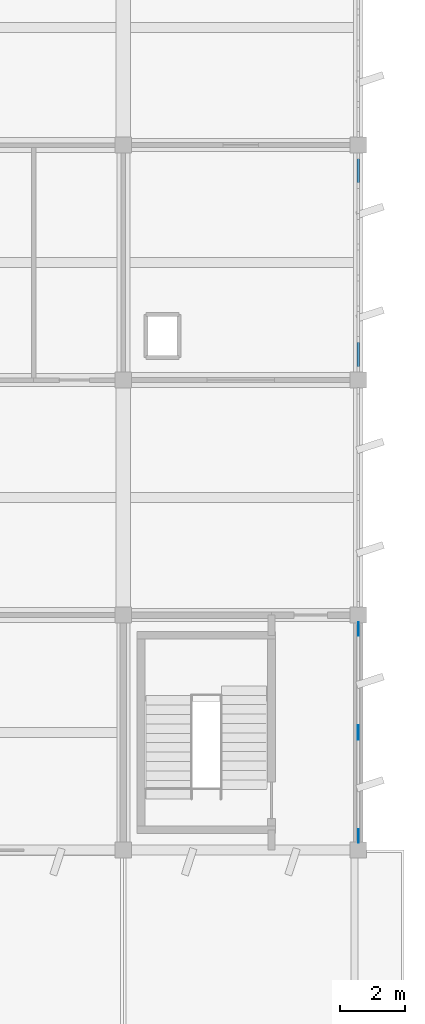
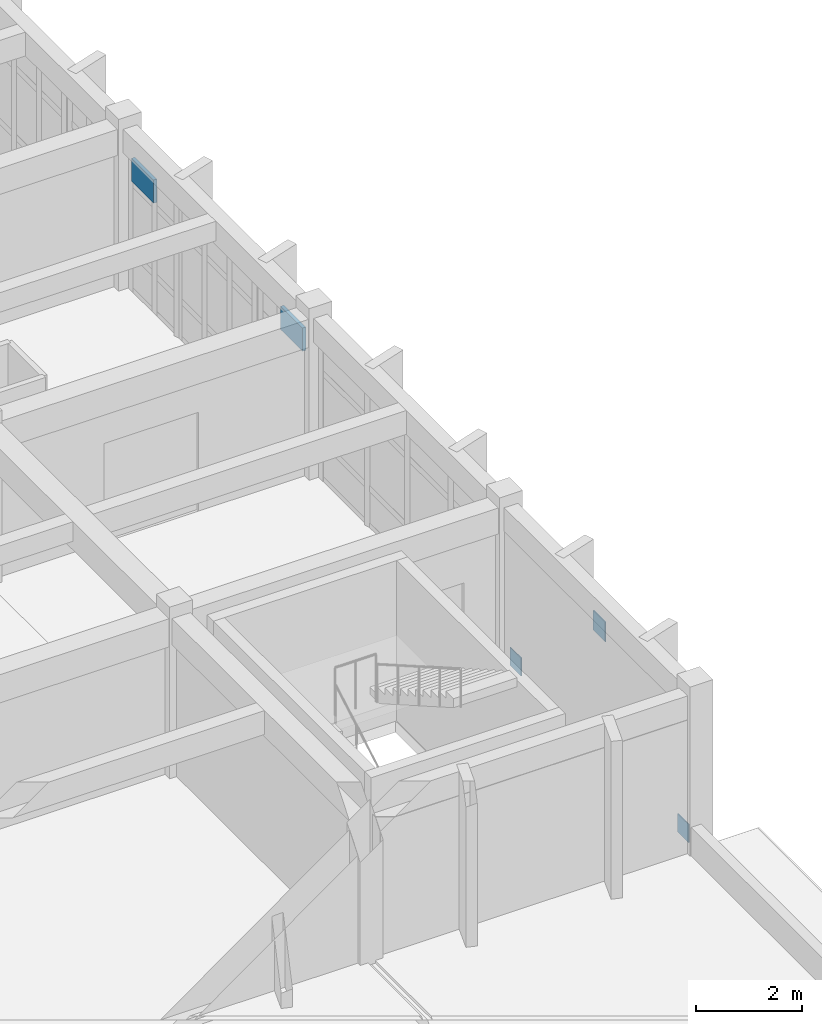
# One storey, part 30 of 40: 5 plates, 1 element without a shape of its own.
"""IFC4 building model written with IfcOpenShell, lengths in metres."""

from ifc_helpers import new_model, si_unit, direction, frame, origin, origin_2d, place, context, subcontext, project, spatial, rectangle, extrude, material, layer, layer_set, type_object, element, aggregate, save


model = new_model("IFC4")

# Units and contexts
model_context = context("Model", 3, precision=1e-05, world=origin(), true_north=direction((0.0, 1.0)))
body_context = subcontext(model_context, "Body", "Model", "MODEL_VIEW")
ifc_project = project(units=[si_unit("LENGTHUNIT", "METRE"), si_unit("AREAUNIT", "SQUARE_METRE"), si_unit("VOLUMEUNIT", "CUBIC_METRE"), si_unit("PLANEANGLEUNIT", "RADIAN"), si_unit("MASSUNIT", "GRAM", prefix="KILO")], contexts=[model_context])

# Site, building, storey
site_placement = place(None, origin())
site = spatial("IfcSite", under=ifc_project, at=site_placement, CompositionType="ELEMENT")
building_placement = place(site_placement, origin())
building = spatial("IfcBuilding", under=site, at=building_placement, Name="Kavelor Marine Aquarium", CompositionType="ELEMENT")
storey_placement = place(building_placement, frame((0.0, 0.0, 17.639892578125)))
storey = spatial("IfcBuildingStorey", under=building, at=storey_placement, Name="L04", CompositionType="ELEMENT", Elevation=17.639892578125)

# Curtain wall, plates
ifc_material_1 = material(Name="Thermally Broken Aluminium and Low-E Glass", Category="aluminium")
ifc_layer_1 = layer(ifc_material_1, 0.14794921875)
ifc_layer_set_1 = layer_set([ifc_layer_1], Name="CW-SYS1")
curtain_wall_type = type_object("IfcCurtainWallType", Name="CW-SYS1", PredefinedType="USERDEFINED", material=ifc_layer_set_1)
curtain_wall_placement = place(storey_placement, origin())
curtain_wall = element("IfcCurtainWall", 1, at=curtain_wall_placement, inside=storey, type_object=curtain_wall_type, Name="cw:y:L04:20_11", ObjectType="Curtain Wall", PredefinedType="USERDEFINED")
ifc_material_2 = material(Name="Solar-Control Double Low-E Glazing", Category="glass")
ifc_layer_2 = layer(ifc_material_2, 0.073974609375)
ifc_layer_set_2 = layer_set([ifc_layer_2], Name="CWP-25")
plate_type_1 = type_object("IfcPlateType", Name="CWP-25", PredefinedType="CURTAIN_PANEL", material=ifc_layer_set_2)
plate_1_placement = place(storey_placement, frame((147.199951171875, 82.785888671875, 2.527587890625), z_axis=(0.0, 0.0, 1.0), x_axis=(0.0, 1.0, 0.0)))
plate_1 = element("IfcPlate", 2, at=plate_1_placement, type_object=plate_type_1, Name="CW01 panel 1.3", PredefinedType="CURTAIN_PANEL", context=body_context, shape_type="SweptSolid", body=[
    extrude(rectangle(XDim=0.831787109375, YDim=0.073974609375, at=origin_2d()), origin(), (0.0, 0.0, 1.0), 0.53759765625),
])
plate_2_placement = place(storey_placement, frame((147.199951171875, 88.4140625, 2.527587890625), z_axis=(0.0, 0.0, 1.0), x_axis=(0.0, 1.0, 0.0)))
plate_2 = element("IfcPlate", 3, at=plate_2_placement, type_object=plate_type_1, Name="CW01 panel 7.3", PredefinedType="CURTAIN_PANEL", context=body_context, shape_type="SweptSolid", body=[
    extrude(rectangle(XDim=0.831787109375, YDim=0.073974609375, at=origin_2d()), origin(), (0.0, 0.0, 1.0), 0.53759765625),
])
aggregate(curtain_wall, [plate_1, plate_2])

# Plates
ifc_material_3 = material(Name="Steel S355", Category="steel")
ifc_layer_3 = layer(ifc_material_3, 0.01953125)
ifc_layer_set_3 = layer_set([ifc_layer_3], Name="PL-GP11")
plate_type_2 = type_object("IfcPlateType", Name="PL-GP11", PredefinedType="SHEET", material=ifc_layer_set_3)
plate_3_placement = place(storey_placement, frame((147.199951171875, 71.199951171875, 2.72265625), z_axis=(0.0, 0.0, 1.0), x_axis=(1.0, 0.0, 0.0)))
element("IfcPlate", 4, at=plate_3_placement, inside=storey, type_object=plate_type_2, Name="sbr:gp:m:7", PredefinedType="SHEET", context=body_context, shape_type="SweptSolid", body=[
    extrude(rectangle(XDim=0.01953125, YDim=0.455078125, at=origin_2d()), origin(), (0.0, 0.0, 1.0), 0.455078125),
])
ifc_material_4 = material(Name="Steel S355", Category="steel")
ifc_layer_4 = layer(ifc_material_4, 0.01806640625)
ifc_layer_set_4 = layer_set([ifc_layer_4], Name="PL-GP12")
plate_type_3 = type_object("IfcPlateType", Name="PL-GP12", PredefinedType="SHEET", material=ifc_layer_set_4)
for number, where, z_axis, x_axis, name in (
    (5, (147.199951171875, 68.030029296875, 0.000244140625), (0.0, 0.0, 1.0), (1.0, 0.0, 0.0), "sbr:gp:a:7"),
    (6, (147.199951171875, 74.3701171875, 0.000244140625), (0.0, 0.0, 1.0), (1.0, 0.0, 0.0), "sbr:gp:b:7"),
):
    element("IfcPlate", number, at=place(storey_placement, frame(where, z_axis=z_axis, x_axis=x_axis)), inside=storey, type_object=plate_type_3, Name=name, PredefinedType="SHEET", context=body_context, shape_type="SweptSolid", body=[
        extrude(rectangle(XDim=0.01806640625, YDim=0.419921875, at=origin_2d()), origin(), (0.0, 0.0, 1.0), 0.419921875),
    ])

save(model, "model.ifc")
